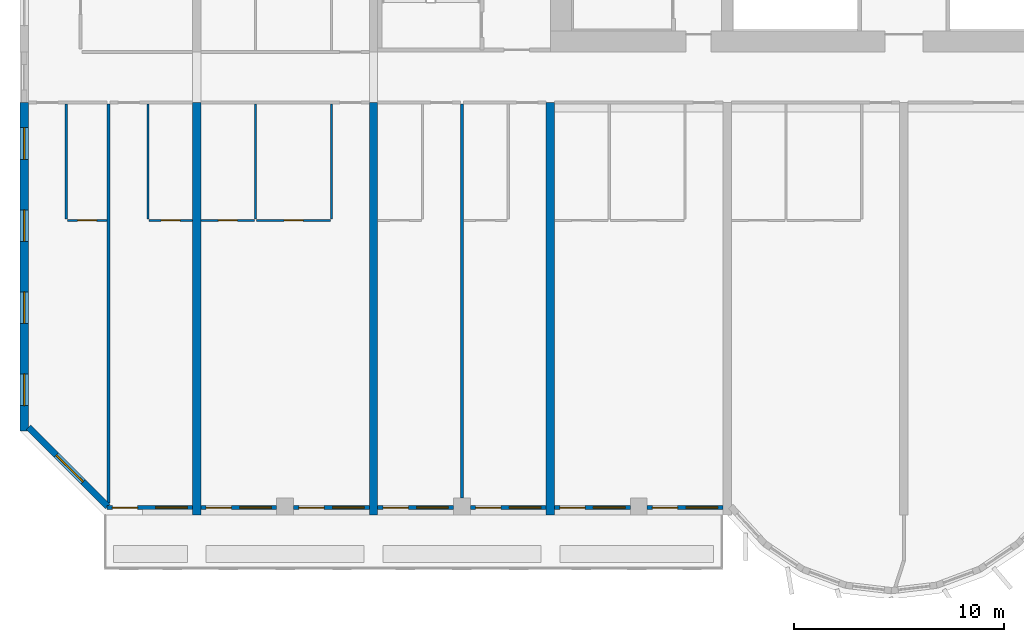
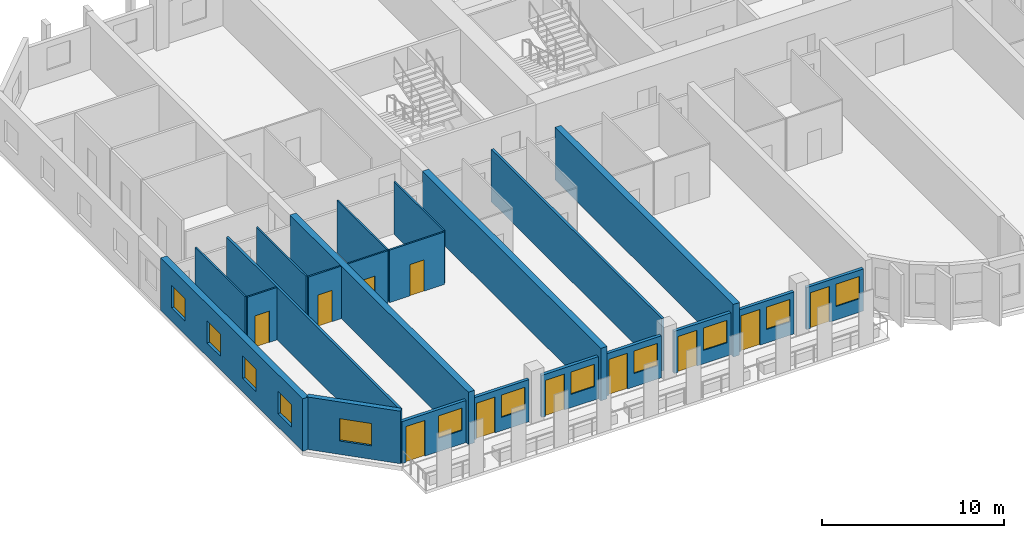
# One storey, part 2 of 14: 22 walls, 12 windows, 11 doors, 23 openings.
"""IFC4 building model written with IfcOpenShell, lengths in metres."""

from ifc_helpers import new_model, si_unit, direction, frame, frame_2d, origin, place, context, subcontext, project, spatial, rectangle, extrude, source, transform, mapped, material, layer, layer_set, type_object, element, fill, save


model = new_model("IFC4")

# Units and contexts
model_context = context("Model", 3, precision=1e-05, world=origin(), true_north=direction((0.0, 1.0)))
body_context = subcontext(model_context, "Body", "Model", "MODEL_VIEW")
ifc_project = project(units=[si_unit("LENGTHUNIT", "METRE"), si_unit("AREAUNIT", "SQUARE_METRE"), si_unit("VOLUMEUNIT", "CUBIC_METRE"), si_unit("PLANEANGLEUNIT", "RADIAN"), si_unit("MASSUNIT", "GRAM", prefix="KILO")], contexts=[model_context])

# Site, building, storey
site_placement = place(None, origin())
site = spatial("IfcSite", under=ifc_project, at=site_placement, CompositionType="ELEMENT")
building_placement = place(site_placement, origin())
building = spatial("IfcBuilding", under=site, at=building_placement, Name="Vanashikhar Sky Hotel", CompositionType="ELEMENT")
storey_placement = place(building_placement, frame((0.0, 0.0, 58.199951171875)))
storey = spatial("IfcBuildingStorey", under=building, at=storey_placement, Name="L13", CompositionType="ELEMENT", Elevation=58.199951171875)

# Wall, openings, windows
ifc_material_1 = material(Name="Concrete M80", Category="concrete")
ifc_layer_1 = layer(ifc_material_1, 0.39990234375)
ifc_layer_set_1 = layer_set([ifc_layer_1], Name="RC shear wall 400 Concrete M80")
wall_type_1 = type_object("IfcWallType", Name="RC shear wall 400 Concrete M80", PredefinedType="SHEAR", material=ifc_layer_set_1)
shared_shape_1 = source(origin(), body_context, "Body", "SweptSolid", [
    extrude(rectangle(XDim=15.60009765625, YDim=0.39990234375, at=frame_2d((7.800048828125, 0.0))), origin(), (0.0, 0.0, 1.0), 3.52001953125),
])
wall_1_placement = place(storey_placement, frame((0.199951171875, 4.0, 0.0), z_axis=(0.0, 0.0, 1.0), x_axis=(0.0, 1.0, 0.0)))
wall_1 = element("IfcWall", 1, at=wall_1_placement, inside=storey, type_object=wall_type_1, Name="CW-L13-XW01-1", PredefinedType="SHEAR", context=body_context, shape_type="MappedRepresentation", body=[
    mapped(shared_shape_1, transform((0.0, 0.0, 0.0), scale=1.0)),
])
shared_shape_2 = source(origin(), body_context, "Body", "SweptSolid", [
    extrude(rectangle(XDim=1.5, YDim=1.5, at=frame_2d((0.75, 0.75))), frame((0.0, 0.2099609375, 0.0), z_axis=(0.0, -1.0, 0.0), x_axis=(1.0, 0.0, 0.0)), (0.0, 0.0, 1.0), 0.419921875),
])
opening_1_placement = place(wall_1_placement, frame((1.199951171875, 0.0, 0.89990234375)))
opening_1 = element("IfcOpeningElement", 2, at=opening_1_placement, cuts=wall_1, Name="Opening WN-1", PredefinedType="OPENING", context=body_context, shape_type="MappedRepresentation", body=[
    mapped(shared_shape_2, transform((0.0, 0.0, 0.0), scale=1.0)),
])
opening_2_placement = place(wall_1_placement, frame((5.10009765625, 0.0, 0.89990234375)))
opening_2 = element("IfcOpeningElement", 3, at=opening_2_placement, cuts=wall_1, Name="Opening WN-1", PredefinedType="OPENING", context=body_context, shape_type="MappedRepresentation", body=[
    mapped(shared_shape_2, transform((0.0, 0.0, 0.0), scale=1.0)),
])
opening_3_placement = place(wall_1_placement, frame((9.0, 0.0, 0.89990234375)))
opening_3 = element("IfcOpeningElement", 4, at=opening_3_placement, cuts=wall_1, Name="Opening WN-1", PredefinedType="OPENING", context=body_context, shape_type="MappedRepresentation", body=[
    mapped(shared_shape_2, transform((0.0, 0.0, 0.0), scale=1.0)),
])
opening_4_placement = place(wall_1_placement, frame((12.89990234375, 0.0, 0.89990234375)))
opening_4 = element("IfcOpeningElement", 5, at=opening_4_placement, cuts=wall_1, Name="Opening WN-1", PredefinedType="OPENING", context=body_context, shape_type="MappedRepresentation", body=[
    mapped(shared_shape_2, transform((0.0, 0.0, 0.0), scale=1.0)),
])
ifc_material_2 = material(Name="Glass", Category="glass")
window_type_1 = type_object("IfcWindowType", Name="Window 1500 x 1500", PartitioningType="SINGLE_PANEL", PredefinedType="WINDOW", material=ifc_material_2)
shared_shape_3 = source(origin(), body_context, "Body", "SweptSolid", [
    extrude(rectangle(XDim=1.5, YDim=1.5, at=frame_2d((0.75, 0.75))), frame((0.0, 0.030029296875, 0.0), z_axis=(0.0, -1.0, 0.0), x_axis=(1.0, 0.0, 0.0)), (0.0, 0.0, 1.0), 0.06005859375),
])
window_1_placement = place(opening_1_placement, origin())
window_1 = element("IfcWindow", 6, at=window_1_placement, inside=storey, type_object=window_type_1, Name="Window WN-1", OverallHeight=1.5, OverallWidth=1.5, PartitioningType="SINGLE_PANEL", PredefinedType="WINDOW", context=body_context, shape_type="MappedRepresentation", body=[
    mapped(shared_shape_3, transform((0.0, 0.0, 0.0), scale=1.0)),
])
fill(opening_1, window_1)
window_2_placement = place(opening_2_placement, origin())
window_2 = element("IfcWindow", 7, at=window_2_placement, inside=storey, type_object=window_type_1, Name="Window WN-1", OverallHeight=1.5, OverallWidth=1.5, PartitioningType="SINGLE_PANEL", PredefinedType="WINDOW", context=body_context, shape_type="MappedRepresentation", body=[
    mapped(shared_shape_3, transform((0.0, 0.0, 0.0), scale=1.0)),
])
fill(opening_2, window_2)
window_3_placement = place(opening_3_placement, origin())
window_3 = element("IfcWindow", 8, at=window_3_placement, inside=storey, type_object=window_type_1, Name="Window WN-1", OverallHeight=1.5, OverallWidth=1.5, PartitioningType="SINGLE_PANEL", PredefinedType="WINDOW", context=body_context, shape_type="MappedRepresentation", body=[
    mapped(shared_shape_3, transform((0.0, 0.0, 0.0), scale=1.0)),
])
fill(opening_3, window_3)
window_4_placement = place(opening_4_placement, origin())
window_4 = element("IfcWindow", 9, at=window_4_placement, inside=storey, type_object=window_type_1, Name="Window WN-1", OverallHeight=1.5, OverallWidth=1.5, PartitioningType="SINGLE_PANEL", PredefinedType="WINDOW", context=body_context, shape_type="MappedRepresentation", body=[
    mapped(shared_shape_3, transform((0.0, 0.0, 0.0), scale=1.0)),
])
fill(opening_4, window_4)

# Walls
shared_shape_4 = source(origin(), body_context, "Body", "SweptSolid", [
    extrude(rectangle(XDim=19.60009765625, YDim=0.39990234375, at=frame_2d((9.800048828125, 0.0))), origin(), (0.0, 0.0, 1.0), 3.52001953125),
])
for number, where, z_axis, x_axis, name in (
    (10, (8.39990234375, 0.0, 0.0), (0.0, 0.0, 1.0), (0.0, 1.0, 0.0), "CW-L13-XW02-1"),
    (11, (16.800048828125, 0.0, 0.0), (0.0, 0.0, 1.0), (0.0, 1.0, 0.0), "CW-L13-XW03-1"),
    (12, (25.199951171875, 0.0, 0.0), (0.0, 0.0, 1.0), (0.0, 1.0, 0.0), "CW-L13-XW04-1"),
):
    element("IfcWall", number, at=place(storey_placement, frame(where, z_axis=z_axis, x_axis=x_axis)), inside=storey, type_object=wall_type_1, Name=name, PredefinedType="SHEAR", context=body_context, shape_type="MappedRepresentation", body=[
        mapped(shared_shape_4, transform((0.0, 0.0, 0.0), scale=1.0)),
    ])

# Wall, opening, window
ifc_material_3 = material(Name="Concrete M50", Category="concrete")
ifc_layer_2 = layer(ifc_material_3, 0.300048828125)
ifc_layer_set_2 = layer_set([ifc_layer_2], Name="Lobe wall 300")
wall_type_2 = type_object("IfcWallType", Name="Lobe wall 300", PredefinedType="SOLIDWALL", material=ifc_layer_set_2)
shared_shape_5 = source(origin(), body_context, "Body", "SweptSolid", [
    extrude(rectangle(XDim=5.32568359375, YDim=0.300048828125, at=frame_2d((2.662841796875, 0.0))), origin(), (0.0, 0.0, 1.0), 3.52001953125),
])
wall_2_placement = place(storey_placement, frame((0.39990234375, 4.165771484375, 0.0), z_axis=(0.0, 0.0, 1.0), x_axis=(0.707106781187, -0.707106781187, 0.0)))
wall_2 = element("IfcWall", 13, at=wall_2_placement, inside=storey, type_object=wall_type_2, Name="Corner wall", PredefinedType="SOLIDWALL", context=body_context, shape_type="MappedRepresentation", body=[
    mapped(shared_shape_5, transform((0.0, 0.0, 0.0), scale=1.0)),
])
shared_shape_6 = source(origin(), body_context, "Body", "SweptSolid", [
    extrude(rectangle(XDim=1.800048828125, YDim=1.5, at=frame_2d((0.89990234375, 0.75))), frame((0.0, 0.16015625, 0.0), z_axis=(0.0, -1.0, 0.0), x_axis=(1.0, 0.0, 0.0)), (0.0, 0.0, 1.0), 0.320068359375),
])
opening_5_placement = place(wall_2_placement, frame((1.871337890625, 0.0, 0.89990234375)))
opening_5 = element("IfcOpeningElement", 14, at=opening_5_placement, cuts=wall_2, Name="Opening WN-4", PredefinedType="OPENING", context=body_context, shape_type="MappedRepresentation", body=[
    mapped(shared_shape_6, transform((0.0, 0.0, 0.0), scale=1.0)),
])
window_type_2 = type_object("IfcWindowType", Name="Corner window 1800 x 1500", PartitioningType="SINGLE_PANEL", PredefinedType="WINDOW", material=ifc_material_2)
shared_shape_7 = source(origin(), body_context, "Body", "SweptSolid", [
    extrude(rectangle(XDim=1.800048828125, YDim=1.5, at=frame_2d((0.89990234375, 0.75))), frame((0.0, 0.030029296875, 0.0), z_axis=(0.0, -1.0, 0.0), x_axis=(1.0, 0.0, 0.0)), (0.0, 0.0, 1.0), 0.06005859375),
])
window_5_placement = place(opening_5_placement, origin())
window_5 = element("IfcWindow", 15, at=window_5_placement, inside=storey, type_object=window_type_2, Name="Window WN-4", OverallHeight=1.5, OverallWidth=1.800048828125, PartitioningType="SINGLE_PANEL", PredefinedType="WINDOW", context=body_context, shape_type="MappedRepresentation", body=[
    mapped(shared_shape_7, transform((0.0, 0.0, 0.0), scale=1.0)),
])
fill(opening_5, window_5)

# Wall, openings, window, door
ifc_layer_3 = layer(ifc_material_3, 0.199951171875)
ifc_layer_set_3 = layer_set([ifc_layer_3], Name="Front window wall 200")
wall_type_3 = type_object("IfcWallType", Name="Front window wall 200", PredefinedType="SOLIDWALL", material=ifc_layer_set_3)
shared_shape_8 = source(origin(), body_context, "Body", "SweptSolid", [
    extrude(rectangle(XDim=4.054931640625, YDim=0.199951171875, at=frame_2d((2.02734375, 0.0))), origin(), (0.0, 0.0, 1.0), 2.820068359375),
])
wall_3_placement = place(storey_placement, frame((4.14501953125, 0.35009765625, 0.0), z_axis=(0.0, 0.0, 1.0), x_axis=(1.0, 0.0, 0.0)))
wall_3 = element("IfcWall", 16, at=wall_3_placement, inside=storey, type_object=wall_type_3, Name="Front window wall", PredefinedType="SOLIDWALL", context=body_context, shape_type="MappedRepresentation", body=[
    mapped(shared_shape_8, transform((0.0, 0.0, 0.0), scale=1.0)),
])
shared_shape_9 = source(origin(), body_context, "Body", "SweptSolid", [
    extrude(rectangle(XDim=1.199951171875, YDim=2.39990234375, at=frame_2d((0.60009765625, 1.199951171875))), frame((0.0, 0.10986328125, 0.0), z_axis=(0.0, -1.0, 0.0), x_axis=(1.0, 0.0, 0.0)), (0.0, 0.0, 1.0), 0.219970703125),
])
opening_6_placement = place(wall_3_placement, frame((0.25, 0.0, 0.0)))
opening_6 = element("IfcOpeningElement", 17, at=opening_6_placement, cuts=wall_3, Name="Opening BD-01", PredefinedType="OPENING", context=body_context, shape_type="MappedRepresentation", body=[
    mapped(shared_shape_9, transform((0.0, 0.0, 0.0), scale=1.0)),
])
shared_shape_10 = source(origin(), body_context, "Body", "SweptSolid", [
    extrude(rectangle(XDim=1.5, YDim=1.5, at=frame_2d((0.75, 0.75))), frame((0.0, 0.10986328125, 0.0), z_axis=(0.0, -1.0, 0.0), x_axis=(1.0, 0.0, 0.0)), (0.0, 0.0, 1.0), 0.219970703125),
])
opening_7_placement = place(wall_3_placement, frame((2.304931640625, 0.0, 0.89990234375)))
opening_7 = element("IfcOpeningElement", 18, at=opening_7_placement, cuts=wall_3, Name="Opening WN-1", PredefinedType="OPENING", context=body_context, shape_type="MappedRepresentation", body=[
    mapped(shared_shape_10, transform((0.0, 0.0, 0.0), scale=1.0)),
])
window_6_placement = place(opening_7_placement, origin())
window_6 = element("IfcWindow", 19, at=window_6_placement, inside=storey, type_object=window_type_1, Name="Window WN-1", OverallHeight=1.5, OverallWidth=1.5, PartitioningType="SINGLE_PANEL", PredefinedType="WINDOW", context=body_context, shape_type="MappedRepresentation", body=[
    mapped(shared_shape_3, transform((0.0, 0.0, 0.0), scale=1.0)),
])
fill(opening_7, window_6)
ifc_material_4 = material(Name="Aluminium", Category="aluminium")
door_type_1 = type_object("IfcDoorType", Name="Balcony sliding door 1200 x 2400", OperationType="NOTDEFINED", PredefinedType="DOOR", material=ifc_material_4)
shared_shape_11 = source(origin(), body_context, "Body", "SweptSolid", [
    extrude(rectangle(XDim=1.199951171875, YDim=2.39990234375, at=frame_2d((0.60009765625, 1.199951171875))), frame((0.0, 0.02490234375, 0.0), z_axis=(0.0, -1.0, 0.0), x_axis=(1.0, 0.0, 0.0)), (0.0, 0.0, 1.0), 0.050048828125),
])
door_1_placement = place(opening_6_placement, origin())
door_1 = element("IfcDoor", 20, at=door_1_placement, inside=storey, type_object=door_type_1, Name="Balcony sliding door", OperationType="SLIDING_TO_LEFT", OverallHeight=2.39990234375, OverallWidth=1.199951171875, PredefinedType="DOOR", context=body_context, shape_type="MappedRepresentation", body=[
    mapped(shared_shape_11, transform((0.0, 0.0, 0.0), scale=1.0)),
])
fill(opening_6, door_1)

shared_shape_12 = source(origin(), body_context, "Body", "SweptSolid", [
    extrude(rectangle(XDim=3.599853515625, YDim=0.199951171875, at=frame_2d((1.7998046875, 0.0))), origin(), (0.0, 0.0, 1.0), 2.820068359375),
])
wall_4_placement = place(storey_placement, frame((8.60009765625, 0.35009765625, 0.0), z_axis=(0.0, 0.0, 1.0), x_axis=(1.0, 0.0, 0.0)))
wall_4 = element("IfcWall", 21, at=wall_4_placement, inside=storey, type_object=wall_type_3, Name="Front window wall", PredefinedType="SOLIDWALL", context=body_context, shape_type="MappedRepresentation", body=[
    mapped(shared_shape_12, transform((0.0, 0.0, 0.0), scale=1.0)),
])
opening_8_placement = place(wall_4_placement, frame((0.25, 0.0, 0.0)))
opening_8 = element("IfcOpeningElement", 22, at=opening_8_placement, cuts=wall_4, Name="Opening BD-02", PredefinedType="OPENING", context=body_context, shape_type="MappedRepresentation", body=[
    mapped(shared_shape_9, transform((0.0, 0.0, 0.0), scale=1.0)),
])
opening_9_placement = place(wall_4_placement, frame((1.85009765625, 0.0, 0.89990234375)))
opening_9 = element("IfcOpeningElement", 23, at=opening_9_placement, cuts=wall_4, Name="Opening WN-1", PredefinedType="OPENING", context=body_context, shape_type="MappedRepresentation", body=[
    mapped(shared_shape_10, transform((0.0, 0.0, 0.0), scale=1.0)),
])
window_7_placement = place(opening_9_placement, origin())
window_7 = element("IfcWindow", 24, at=window_7_placement, inside=storey, type_object=window_type_1, Name="Window WN-1", OverallHeight=1.5, OverallWidth=1.5, PartitioningType="SINGLE_PANEL", PredefinedType="WINDOW", context=body_context, shape_type="MappedRepresentation", body=[
    mapped(shared_shape_3, transform((0.0, 0.0, 0.0), scale=1.0)),
])
fill(opening_9, window_7)
door_2_placement = place(opening_8_placement, origin())
door_2 = element("IfcDoor", 25, at=door_2_placement, inside=storey, type_object=door_type_1, Name="Balcony sliding door", OperationType="SLIDING_TO_RIGHT", OverallHeight=2.39990234375, OverallWidth=1.199951171875, PredefinedType="DOOR", context=body_context, shape_type="MappedRepresentation", body=[
    mapped(shared_shape_11, transform((0.0, 0.0, 0.0), scale=1.0)),
])
fill(opening_8, door_2)

wall_5_placement = place(storey_placement, frame((29.800048828125, 0.35009765625, 0.0), z_axis=(0.0, 0.0, 1.0), x_axis=(1.0, 0.0, 0.0)))
wall_5 = element("IfcWall", 26, at=wall_5_placement, inside=storey, type_object=wall_type_3, Name="Front window wall", PredefinedType="SOLIDWALL", context=body_context, shape_type="MappedRepresentation", body=[
    mapped(shared_shape_12, transform((0.0, 0.0, 0.0), scale=1.0)),
])
opening_10_placement = place(wall_5_placement, frame((0.25, 0.0, 0.0)))
opening_10 = element("IfcOpeningElement", 27, at=opening_10_placement, cuts=wall_5, Name="Opening BD-07", PredefinedType="OPENING", context=body_context, shape_type="MappedRepresentation", body=[
    mapped(shared_shape_9, transform((0.0, 0.0, 0.0), scale=1.0)),
])
opening_11_placement = place(wall_5_placement, frame((1.85009765625, 0.0, 0.89990234375)))
opening_11 = element("IfcOpeningElement", 28, at=opening_11_placement, cuts=wall_5, Name="Opening WN-1", PredefinedType="OPENING", context=body_context, shape_type="MappedRepresentation", body=[
    mapped(shared_shape_10, transform((0.0, 0.0, 0.0), scale=1.0)),
])
window_8_placement = place(opening_11_placement, origin())
window_8 = element("IfcWindow", 29, at=window_8_placement, inside=storey, type_object=window_type_1, Name="Window WN-1", OverallHeight=1.5, OverallWidth=1.5, PartitioningType="SINGLE_PANEL", PredefinedType="WINDOW", context=body_context, shape_type="MappedRepresentation", body=[
    mapped(shared_shape_3, transform((0.0, 0.0, 0.0), scale=1.0)),
])
fill(opening_11, window_8)
door_3_placement = place(opening_10_placement, origin())
door_3 = element("IfcDoor", 30, at=door_3_placement, inside=storey, type_object=door_type_1, Name="Balcony sliding door", OperationType="SLIDING_TO_LEFT", OverallHeight=2.39990234375, OverallWidth=1.199951171875, PredefinedType="DOOR", context=body_context, shape_type="MappedRepresentation", body=[
    mapped(shared_shape_11, transform((0.0, 0.0, 0.0), scale=1.0)),
])
fill(opening_10, door_3)

shared_shape_13 = source(origin(), body_context, "Body", "SweptSolid", [
    extrude(rectangle(XDim=3.60009765625, YDim=0.199951171875, at=frame_2d((1.800048828125, 0.0))), origin(), (0.0, 0.0, 1.0), 2.820068359375),
])
wall_6_placement = place(storey_placement, frame((13.0, 0.35009765625, 0.0), z_axis=(0.0, 0.0, 1.0), x_axis=(1.0, 0.0, 0.0)))
wall_6 = element("IfcWall", 31, at=wall_6_placement, inside=storey, type_object=wall_type_3, Name="Front window wall", PredefinedType="SOLIDWALL", context=body_context, shape_type="MappedRepresentation", body=[
    mapped(shared_shape_13, transform((0.0, 0.0, 0.0), scale=1.0)),
])
opening_12_placement = place(wall_6_placement, frame((0.25, 0.0, 0.0)))
opening_12 = element("IfcOpeningElement", 32, at=opening_12_placement, cuts=wall_6, Name="Opening BD-03", PredefinedType="OPENING", context=body_context, shape_type="MappedRepresentation", body=[
    mapped(shared_shape_9, transform((0.0, 0.0, 0.0), scale=1.0)),
])
opening_13_placement = place(wall_6_placement, frame((1.85009765625, 0.0, 0.89990234375)))
opening_13 = element("IfcOpeningElement", 33, at=opening_13_placement, cuts=wall_6, Name="Opening WN-1", PredefinedType="OPENING", context=body_context, shape_type="MappedRepresentation", body=[
    mapped(shared_shape_10, transform((0.0, 0.0, 0.0), scale=1.0)),
])
window_9_placement = place(opening_13_placement, origin())
window_9 = element("IfcWindow", 34, at=window_9_placement, inside=storey, type_object=window_type_1, Name="Window WN-1", OverallHeight=1.5, OverallWidth=1.5, PartitioningType="SINGLE_PANEL", PredefinedType="WINDOW", context=body_context, shape_type="MappedRepresentation", body=[
    mapped(shared_shape_3, transform((0.0, 0.0, 0.0), scale=1.0)),
])
fill(opening_13, window_9)
door_4_placement = place(opening_12_placement, origin())
door_4 = element("IfcDoor", 35, at=door_4_placement, inside=storey, type_object=door_type_1, Name="Balcony sliding door", OperationType="SLIDING_TO_LEFT", OverallHeight=2.39990234375, OverallWidth=1.199951171875, PredefinedType="DOOR", context=body_context, shape_type="MappedRepresentation", body=[
    mapped(shared_shape_11, transform((0.0, 0.0, 0.0), scale=1.0)),
])
fill(opening_12, door_4)

wall_7_placement = place(storey_placement, frame((17.0, 0.35009765625, 0.0), z_axis=(0.0, 0.0, 1.0), x_axis=(1.0, 0.0, 0.0)))
wall_7 = element("IfcWall", 36, at=wall_7_placement, inside=storey, type_object=wall_type_3, Name="Front window wall", PredefinedType="SOLIDWALL", context=body_context, shape_type="MappedRepresentation", body=[
    mapped(shared_shape_13, transform((0.0, 0.0, 0.0), scale=1.0)),
])
opening_14_placement = place(wall_7_placement, frame((0.25, 0.0, 0.0)))
opening_14 = element("IfcOpeningElement", 37, at=opening_14_placement, cuts=wall_7, Name="Opening BD-04", PredefinedType="OPENING", context=body_context, shape_type="MappedRepresentation", body=[
    mapped(shared_shape_9, transform((0.0, 0.0, 0.0), scale=1.0)),
])
opening_15_placement = place(wall_7_placement, frame((1.85009765625, 0.0, 0.89990234375)))
opening_15 = element("IfcOpeningElement", 38, at=opening_15_placement, cuts=wall_7, Name="Opening WN-1", PredefinedType="OPENING", context=body_context, shape_type="MappedRepresentation", body=[
    mapped(shared_shape_10, transform((0.0, 0.0, 0.0), scale=1.0)),
])
window_10_placement = place(opening_15_placement, origin())
window_10 = element("IfcWindow", 39, at=window_10_placement, inside=storey, type_object=window_type_1, Name="Window WN-1", OverallHeight=1.5, OverallWidth=1.5, PartitioningType="SINGLE_PANEL", PredefinedType="WINDOW", context=body_context, shape_type="MappedRepresentation", body=[
    mapped(shared_shape_3, transform((0.0, 0.0, 0.0), scale=1.0)),
])
fill(opening_15, window_10)
door_5_placement = place(opening_14_placement, origin())
door_5 = element("IfcDoor", 40, at=door_5_placement, inside=storey, type_object=door_type_1, Name="Balcony sliding door", OperationType="SLIDING_TO_RIGHT", OverallHeight=2.39990234375, OverallWidth=1.199951171875, PredefinedType="DOOR", context=body_context, shape_type="MappedRepresentation", body=[
    mapped(shared_shape_11, transform((0.0, 0.0, 0.0), scale=1.0)),
])
fill(opening_14, door_5)

wall_8_placement = place(storey_placement, frame((21.39990234375, 0.35009765625, 0.0), z_axis=(0.0, 0.0, 1.0), x_axis=(1.0, 0.0, 0.0)))
wall_8 = element("IfcWall", 41, at=wall_8_placement, inside=storey, type_object=wall_type_3, Name="Front window wall", PredefinedType="SOLIDWALL", context=body_context, shape_type="MappedRepresentation", body=[
    mapped(shared_shape_13, transform((0.0, 0.0, 0.0), scale=1.0)),
])
opening_16_placement = place(wall_8_placement, frame((0.25, 0.0, 0.0)))
opening_16 = element("IfcOpeningElement", 42, at=opening_16_placement, cuts=wall_8, Name="Opening BD-05", PredefinedType="OPENING", context=body_context, shape_type="MappedRepresentation", body=[
    mapped(shared_shape_9, transform((0.0, 0.0, 0.0), scale=1.0)),
])
opening_17_placement = place(wall_8_placement, frame((1.85009765625, 0.0, 0.89990234375)))
opening_17 = element("IfcOpeningElement", 43, at=opening_17_placement, cuts=wall_8, Name="Opening WN-1", PredefinedType="OPENING", context=body_context, shape_type="MappedRepresentation", body=[
    mapped(shared_shape_10, transform((0.0, 0.0, 0.0), scale=1.0)),
])
window_11_placement = place(opening_17_placement, origin())
window_11 = element("IfcWindow", 44, at=window_11_placement, inside=storey, type_object=window_type_1, Name="Window WN-1", OverallHeight=1.5, OverallWidth=1.5, PartitioningType="SINGLE_PANEL", PredefinedType="WINDOW", context=body_context, shape_type="MappedRepresentation", body=[
    mapped(shared_shape_3, transform((0.0, 0.0, 0.0), scale=1.0)),
])
fill(opening_17, window_11)
door_6_placement = place(opening_16_placement, origin())
door_6 = element("IfcDoor", 45, at=door_6_placement, inside=storey, type_object=door_type_1, Name="Balcony sliding door", OperationType="SLIDING_TO_LEFT", OverallHeight=2.39990234375, OverallWidth=1.199951171875, PredefinedType="DOOR", context=body_context, shape_type="MappedRepresentation", body=[
    mapped(shared_shape_11, transform((0.0, 0.0, 0.0), scale=1.0)),
])
fill(opening_16, door_6)

wall_9_placement = place(storey_placement, frame((25.39990234375, 0.35009765625, 0.0), z_axis=(0.0, 0.0, 1.0), x_axis=(1.0, 0.0, 0.0)))
wall_9 = element("IfcWall", 46, at=wall_9_placement, inside=storey, type_object=wall_type_3, Name="Front window wall", PredefinedType="SOLIDWALL", context=body_context, shape_type="MappedRepresentation", body=[
    mapped(shared_shape_13, transform((0.0, 0.0, 0.0), scale=1.0)),
])
opening_18_placement = place(wall_9_placement, frame((0.25, 0.0, 0.0)))
opening_18 = element("IfcOpeningElement", 47, at=opening_18_placement, cuts=wall_9, Name="Opening BD-06", PredefinedType="OPENING", context=body_context, shape_type="MappedRepresentation", body=[
    mapped(shared_shape_9, transform((0.0, 0.0, 0.0), scale=1.0)),
])
opening_19_placement = place(wall_9_placement, frame((1.85009765625, 0.0, 0.89990234375)))
opening_19 = element("IfcOpeningElement", 48, at=opening_19_placement, cuts=wall_9, Name="Opening WN-1", PredefinedType="OPENING", context=body_context, shape_type="MappedRepresentation", body=[
    mapped(shared_shape_10, transform((0.0, 0.0, 0.0), scale=1.0)),
])
window_12_placement = place(opening_19_placement, origin())
window_12 = element("IfcWindow", 49, at=window_12_placement, inside=storey, type_object=window_type_1, Name="Window WN-1", OverallHeight=1.5, OverallWidth=1.5, PartitioningType="SINGLE_PANEL", PredefinedType="WINDOW", context=body_context, shape_type="MappedRepresentation", body=[
    mapped(shared_shape_3, transform((0.0, 0.0, 0.0), scale=1.0)),
])
fill(opening_19, window_12)
door_7_placement = place(opening_18_placement, origin())
door_7 = element("IfcDoor", 50, at=door_7_placement, inside=storey, type_object=door_type_1, Name="Balcony sliding door", OperationType="SLIDING_TO_RIGHT", OverallHeight=2.39990234375, OverallWidth=1.199951171875, PredefinedType="DOOR", context=body_context, shape_type="MappedRepresentation", body=[
    mapped(shared_shape_11, transform((0.0, 0.0, 0.0), scale=1.0)),
])
fill(opening_18, door_7)

# Wall
ifc_material_5 = material(Name="Gypsum plasterboard partition")
ifc_layer_4 = layer(ifc_material_5, 0.14990234375)
ifc_layer_set_4 = layer_set([ifc_layer_4], Name="Corridor and demising partition 150")
wall_type_4 = type_object("IfcWallType", Name="Corridor and demising partition 150", PredefinedType="PARTITIONING", material=ifc_layer_set_4)
shared_shape_14 = source(origin(), body_context, "Body", "SweptSolid", [
    extrude(rectangle(XDim=18.947021484375, YDim=0.14990234375, at=frame_2d((9.4736328125, 0.0))), origin(), (0.0, 0.0, 1.0), 3.52001953125),
])
wall_10_placement = place(storey_placement, frame((4.199951171875, 0.577880859375, 0.0), z_axis=(0.0, 0.0, 1.0), x_axis=(0.0, 1.0, 0.0)))
element("IfcWall", 51, at=wall_10_placement, inside=storey, type_object=wall_type_4, Name="W-L13-PW007", PredefinedType="PARTITIONING", context=body_context, shape_type="MappedRepresentation", body=[
    mapped(shared_shape_14, transform((0.0, 0.0, 0.0), scale=1.0)),
])

# Wall, opening, door
ifc_layer_5 = layer(ifc_material_5, 0.10009765625)
ifc_layer_set_5 = layer_set([ifc_layer_5], Name="Wet room partition 100")
wall_type_5 = type_object("IfcWallType", Name="Wet room partition 100", PredefinedType="PARTITIONING", material=ifc_layer_set_5)
shared_shape_15 = source(origin(), body_context, "Body", "SweptSolid", [
    extrude(rectangle(XDim=3.5, YDim=0.10009765625, at=frame_2d((1.75, 0.0))), origin(), (0.0, 0.0, 1.0), 3.52001953125),
])
wall_11_placement = place(storey_placement, frame((11.25, 14.0, 0.0), z_axis=(0.0, 0.0, 1.0), x_axis=(1.0, 0.0, 0.0)))
wall_11 = element("IfcWall", 52, at=wall_11_placement, inside=storey, type_object=wall_type_5, Name="W-L13-PW010", PredefinedType="PARTITIONING", context=body_context, shape_type="MappedRepresentation", body=[
    mapped(shared_shape_15, transform((0.0, 0.0, 0.0), scale=1.0)),
])
shared_shape_16 = source(origin(), body_context, "Body", "SweptSolid", [
    extrude(rectangle(XDim=0.89990234375, YDim=2.10009765625, at=frame_2d((0.449951171875, 1.050048828125))), frame((0.0, 0.06005859375, 0.0), z_axis=(0.0, -1.0, 0.0), x_axis=(1.0, 0.0, 0.0)), (0.0, 0.0, 1.0), 0.1201171875),
])
opening_20_placement = place(wall_11_placement, frame((1.300048828125, 0.0, 0.0)))
opening_20 = element("IfcOpeningElement", 53, at=opening_20_placement, cuts=wall_11, Name="Opening D-02", PredefinedType="OPENING", context=body_context, shape_type="MappedRepresentation", body=[
    mapped(shared_shape_16, transform((0.0, 0.0, 0.0), scale=1.0)),
])
ifc_material_6 = material(Name="Timber door", Category="wood")
door_type_2 = type_object("IfcDoorType", Name="Internal door 900", OperationType="NOTDEFINED", PredefinedType="DOOR", material=ifc_material_6)
shared_shape_17 = source(origin(), body_context, "Body", "SweptSolid", [
    extrude(rectangle(XDim=0.89990234375, YDim=2.10009765625, at=frame_2d((0.449951171875, 1.050048828125))), frame((0.0, 0.02490234375, 0.0), z_axis=(0.0, -1.0, 0.0), x_axis=(1.0, 0.0, 0.0)), (0.0, 0.0, 1.0), 0.050048828125),
])
door_8_placement = place(opening_20_placement, origin())
door_8 = element("IfcDoor", 54, at=door_8_placement, inside=storey, type_object=door_type_2, Name="D-L13-005", OperationType="SINGLE_SWING_RIGHT", OverallHeight=2.10009765625, OverallWidth=0.89990234375, PredefinedType="DOOR", context=body_context, shape_type="MappedRepresentation", body=[
    mapped(shared_shape_17, transform((0.0, 0.0, 0.0), scale=1.0)),
])
fill(opening_20, door_8)

shared_shape_18 = source(origin(), body_context, "Body", "SweptSolid", [
    extrude(rectangle(XDim=2.074951171875, YDim=0.10009765625, at=frame_2d((1.03759765625, 0.0))), origin(), (0.0, 0.0, 1.0), 3.52001953125),
])
wall_12_placement = place(storey_placement, frame((6.125, 14.0, 0.0), z_axis=(0.0, 0.0, 1.0), x_axis=(1.0, 0.0, 0.0)))
wall_12 = element("IfcWall", 55, at=wall_12_placement, inside=storey, type_object=wall_type_5, Name="W-L13-PW005", PredefinedType="PARTITIONING", context=body_context, shape_type="MappedRepresentation", body=[
    mapped(shared_shape_18, transform((0.0, 0.0, 0.0), scale=1.0)),
])
opening_21_placement = place(wall_12_placement, frame((0.5869140625, 0.0, 0.0)))
opening_21 = element("IfcOpeningElement", 56, at=opening_21_placement, cuts=wall_12, Name="Opening D-02", PredefinedType="OPENING", context=body_context, shape_type="MappedRepresentation", body=[
    mapped(shared_shape_16, transform((0.0, 0.0, 0.0), scale=1.0)),
])
door_9_placement = place(opening_21_placement, origin())
door_9 = element("IfcDoor", 57, at=door_9_placement, inside=storey, type_object=door_type_2, Name="D-L13-003", OperationType="SINGLE_SWING_LEFT", OverallHeight=2.10009765625, OverallWidth=0.89990234375, PredefinedType="DOOR", context=body_context, shape_type="MappedRepresentation", body=[
    mapped(shared_shape_17, transform((0.0, 0.0, 0.0), scale=1.0)),
])
fill(opening_21, door_9)

# Wall
shared_shape_19 = source(origin(), body_context, "Body", "SweptSolid", [
    extrude(rectangle(XDim=18.724853515625, YDim=0.14990234375, at=frame_2d((9.3623046875, 0.0))), origin(), (0.0, 0.0, 1.0), 3.52001953125),
])
wall_13_placement = place(storey_placement, frame((21.0, 0.800048828125, 0.0), z_axis=(0.0, 0.0, 1.0), x_axis=(0.0, 1.0, 0.0)))
element("IfcWall", 58, at=wall_13_placement, inside=storey, type_object=wall_type_4, Name="W-L13-PW019", PredefinedType="PARTITIONING", context=body_context, shape_type="MappedRepresentation", body=[
    mapped(shared_shape_19, transform((0.0, 0.0, 0.0), scale=1.0)),
])

# Wall, opening, door
shared_shape_20 = source(origin(), body_context, "Body", "SweptSolid", [
    extrude(rectangle(XDim=2.5498046875, YDim=0.10009765625, at=frame_2d((1.27490234375, 0.0))), origin(), (0.0, 0.0, 1.0), 3.52001953125),
])
wall_14_placement = place(storey_placement, frame((8.60009765625, 14.0, 0.0), z_axis=(0.0, 0.0, 1.0), x_axis=(1.0, 0.0, 0.0)))
wall_14 = element("IfcWall", 59, at=wall_14_placement, inside=storey, type_object=wall_type_5, Name="W-L13-PW011", PredefinedType="PARTITIONING", context=body_context, shape_type="MappedRepresentation", body=[
    mapped(shared_shape_20, transform((0.0, 0.0, 0.0), scale=1.0)),
])
opening_22_placement = place(wall_14_placement, frame((0.824951171875, 0.0, 0.0)))
opening_22 = element("IfcOpeningElement", 60, at=opening_22_placement, cuts=wall_14, Name="Opening D-02", PredefinedType="OPENING", context=body_context, shape_type="MappedRepresentation", body=[
    mapped(shared_shape_16, transform((0.0, 0.0, 0.0), scale=1.0)),
])
door_10_placement = place(opening_22_placement, origin())
door_10 = element("IfcDoor", 61, at=door_10_placement, inside=storey, type_object=door_type_2, Name="D-L13-006", OperationType="SINGLE_SWING_RIGHT", OverallHeight=2.10009765625, OverallWidth=0.89990234375, PredefinedType="DOOR", context=body_context, shape_type="MappedRepresentation", body=[
    mapped(shared_shape_17, transform((0.0, 0.0, 0.0), scale=1.0)),
])
fill(opening_22, door_10)

shared_shape_21 = source(origin(), body_context, "Body", "SweptSolid", [
    extrude(rectangle(XDim=1.875, YDim=0.10009765625, at=frame_2d((0.9375, 0.0))), origin(), (0.0, 0.0, 1.0), 3.52001953125),
])
wall_15_placement = place(storey_placement, frame((2.25, 14.0, 0.0), z_axis=(0.0, 0.0, 1.0), x_axis=(1.0, 0.0, 0.0)))
wall_15 = element("IfcWall", 62, at=wall_15_placement, inside=storey, type_object=wall_type_5, Name="W-L13-PW002", PredefinedType="PARTITIONING", context=body_context, shape_type="MappedRepresentation", body=[
    mapped(shared_shape_21, transform((0.0, 0.0, 0.0), scale=1.0)),
])
opening_23_placement = place(wall_15_placement, frame((0.487060546875, 0.0, 0.0)))
opening_23 = element("IfcOpeningElement", 63, at=opening_23_placement, cuts=wall_15, Name="Opening D-02", PredefinedType="OPENING", context=body_context, shape_type="MappedRepresentation", body=[
    mapped(shared_shape_16, transform((0.0, 0.0, 0.0), scale=1.0)),
])
door_11_placement = place(opening_23_placement, origin())
door_11 = element("IfcDoor", 64, at=door_11_placement, inside=storey, type_object=door_type_2, Name="D-L13-001", OperationType="SINGLE_SWING_LEFT", OverallHeight=2.10009765625, OverallWidth=0.89990234375, PredefinedType="DOOR", context=body_context, shape_type="MappedRepresentation", body=[
    mapped(shared_shape_17, transform((0.0, 0.0, 0.0), scale=1.0)),
])
fill(opening_23, door_11)

# Walls
shared_shape_22 = source(origin(), body_context, "Body", "SweptSolid", [
    extrude(rectangle(XDim=5.449951171875, YDim=0.10009765625, at=frame_2d((2.72509765625, 0.0))), origin(), (0.0, 0.0, 1.0), 3.52001953125),
])
for number, where, z_axis, x_axis, name in (
    (65, (2.199951171875, 14.074951171875, 0.0), (0.0, 0.0, 1.0), (0.0, 1.0, 0.0), "W-L13-PW001"),
    (66, (6.074951171875, 14.074951171875, 0.0), (0.0, 0.0, 1.0), (0.0, 1.0, 0.0), "W-L13-PW004"),
    (67, (14.800048828125, 14.074951171875, 0.0), (0.0, 0.0, 1.0), (0.0, 1.0, 0.0), "W-L13-PW008"),
    (68, (11.199951171875, 14.074951171875, 0.0), (0.0, 0.0, 1.0), (0.0, 1.0, 0.0), "W-L13-PW009"),
):
    element("IfcWall", number, at=place(storey_placement, frame(where, z_axis=z_axis, x_axis=x_axis)), inside=storey, type_object=wall_type_5, Name=name, PredefinedType="PARTITIONING", context=body_context, shape_type="MappedRepresentation", body=[
        mapped(shared_shape_22, transform((0.0, 0.0, 0.0), scale=1.0)),
    ])

save(model, "model.ifc")
